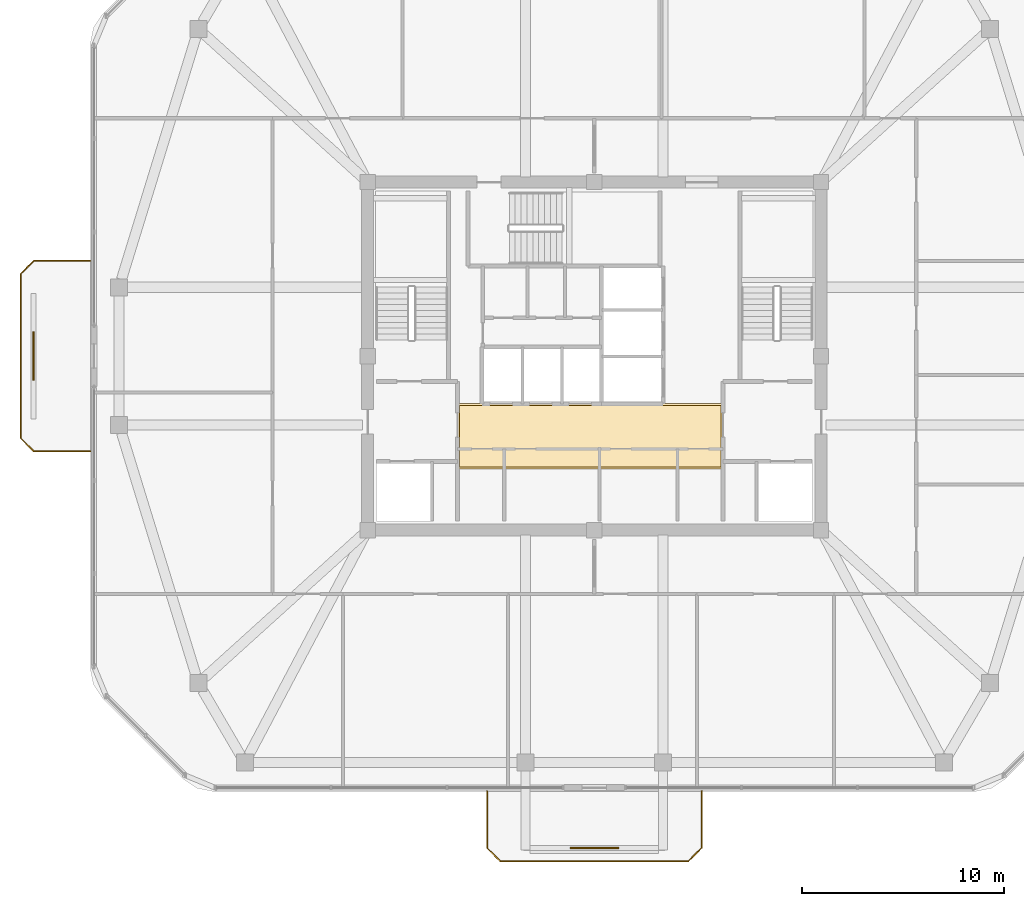
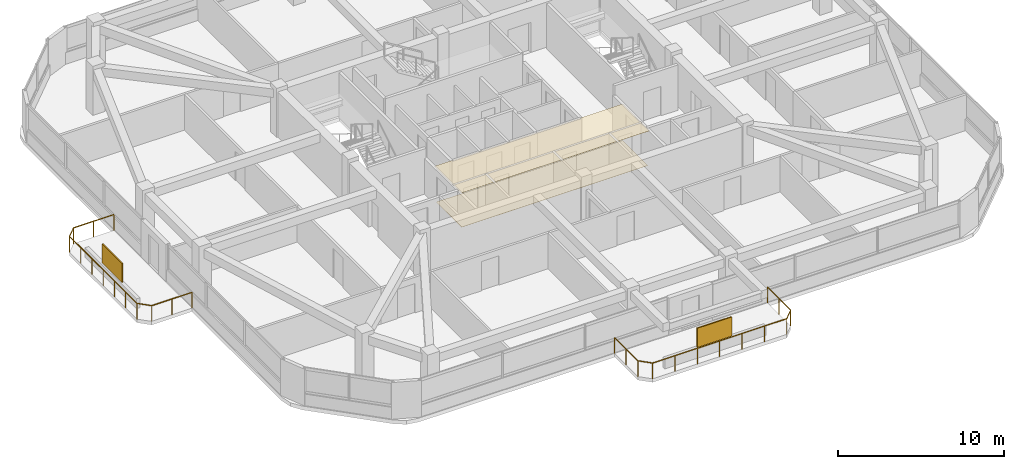
# One storey, part 11 of 12: 2 coverings, 2 railings, 2 shading devices.
"""IFC4 building model written with IfcOpenShell, lengths in metres."""

from ifc_helpers import new_model, si_unit, derived_unit, direction, frame, origin, origin_2d, place, context, subcontext, project, spatial, polyline, rectangle, outline, extrude, material, layer, layer_set, type_object, element, save


model = new_model("IFC4")

# Units and contexts
model_context = context("Model", 3, precision=1e-05, world=origin(), true_north=direction((0.0, 1.0)))
body_context = subcontext(model_context, "Body", "Model", "MODEL_VIEW")
ifc_project = project(units=[si_unit("LENGTHUNIT", "METRE"), si_unit("AREAUNIT", "SQUARE_METRE"), si_unit("VOLUMEUNIT", "CUBIC_METRE"), si_unit("PLANEANGLEUNIT", "RADIAN"), si_unit("MASSUNIT", "GRAM", prefix="KILO"), derived_unit("THERMALTRANSMITTANCEUNIT", [(si_unit("POWERUNIT", "WATT"), 1), (si_unit("LENGTHUNIT", "METRE"), -2), (si_unit("THERMODYNAMICTEMPERATUREUNIT", "KELVIN"), -1)])], contexts=[model_context])

# Site, building, storey
site_placement = place(None, origin())
site = spatial("IfcSite", under=ifc_project, at=site_placement, CompositionType="ELEMENT")
building_placement = place(site_placement, origin())
building = spatial("IfcBuilding", under=site, at=building_placement, Name="Koralith Skygarden Medical Center", CompositionType="ELEMENT")
storey_placement = place(building_placement, frame((0.0, 0.0, 278.820068359375)))
storey = spatial("IfcBuildingStorey", under=building, at=storey_placement, Name="L72", CompositionType="ELEMENT", Elevation=278.820068359375)

# Covering
ifc_material_1 = material(Name="Acoustic Mineral Tile")
ifc_layer_1 = layer(ifc_material_1, 0.02001953125)
ifc_layer_set_1 = layer_set([ifc_layer_1], Name="Acoustic Mineral Tile")
covering_type_1 = type_object("IfcCoveringType", Name="Acoustic Hygienic Mineral Ceiling 20", PredefinedType="CEILING", material=ifc_layer_set_1)
covering_1_placement = place(storey_placement, frame((0.0, 0.0, 2.5849609375)))
element("IfcCovering", 1, at=covering_1_placement, inside=storey, type_object=covering_type_1, Name="L72 Core Lobby Acoustic Ceiling", PredefinedType="CEILING", context=body_context, shape_type="SweptSolid", body=[
    extrude(outline(polyline([(30.25, 20.320068359375), (43.35009765625, 20.320068359375), (43.35009765625, 23.56005859375), (30.25, 23.56005859375), (30.25, 20.320068359375)])), origin(), (0.0, 0.0, 1.0), 0.02001953125),
])

# Railings
ifc_material_2 = material(Name="Steel ASTM A500 Grade C", Category="steel")
railing_type = type_object("IfcRailingType", Name="Outdoor Terrace & Balcony Safety Guardrail 1180", PredefinedType="GUARDRAIL", material=ifc_material_2)
railing_1_placement = place(storey_placement, frame((31.699951171875, 4.39990234375, 0.0)))
element("IfcRailing", 2, at=railing_1_placement, inside=storey, type_object=railing_type, Name="L72 S Balcony Perimeter Guardrail", PredefinedType="GUARDRAIL", context=body_context, shape_type="SweptSolid", body=[
    extrude(rectangle(XDim=0.050048828125, YDim=0.050048828125, at=origin_2d()), frame((0.0, -0.001953125, 1.15478515625), z_axis=(0.0, -1.0, 0.0), x_axis=(1.0, 0.0, 0.0)), (0.0, 0.0, 1.0), 2.7958984375),
    extrude(rectangle(XDim=0.050048828125, YDim=0.050048828125, at=origin_2d()), frame((0.00146484375, -2.80126953125, 1.15478515625), z_axis=(0.707106781187, -0.707106781187, 0.0), x_axis=(0.707106781187, 0.707106781187, 0.0)), (0.0, 0.0, 1.0), 0.91552734375),
    extrude(rectangle(XDim=0.050048828125, YDim=0.050048828125, at=origin_2d()), frame((0.652099609375, -3.449951171875, 1.15478515625), z_axis=(1.0, 0.0, 0.0), x_axis=(0.0, 1.0, 0.0)), (0.0, 0.0, 1.0), 9.2958984375),
    extrude(rectangle(XDim=0.050048828125, YDim=0.050048828125, at=origin_2d()), frame((9.951416015625, -3.448486328125, 1.15478515625), z_axis=(0.707106781187, 0.707106781187, 0.0), x_axis=(-0.707106781187, 0.707106781187, 0.0)), (0.0, 0.0, 1.0), 0.91552734375),
    extrude(rectangle(XDim=0.050048828125, YDim=0.050048828125, at=origin_2d()), frame((10.60009765625, -2.7978515625, 1.15478515625), z_axis=(0.0, 1.0, 0.0), x_axis=(-1.0, 0.0, 0.0)), (0.0, 0.0, 1.0), 2.7958984375),
    extrude(rectangle(XDim=0.0419921875, YDim=0.0419921875, at=origin_2d()), origin(), (0.0, 0.0, 1.0), 1.1279296875),
    extrude(rectangle(XDim=0.0419921875, YDim=0.0419921875, at=origin_2d()), frame((0.0, -1.39990234375, 0.0)), (0.0, 0.0, 1.0), 1.1279296875),
    extrude(rectangle(XDim=0.0419921875, YDim=0.0419921875, at=origin_2d()), frame((0.0, -2.7998046875, 0.0)), (0.0, 0.0, 1.0), 1.1279296875),
    extrude(rectangle(XDim=0.0419921875, YDim=0.0419921875, at=origin_2d()), frame((0.650146484375, -3.449951171875, 0.0)), (0.0, 0.0, 1.0), 1.1279296875),
    extrude(rectangle(XDim=0.0419921875, YDim=0.0419921875, at=origin_2d()), frame((2.2001953125, -3.449951171875, 0.0)), (0.0, 0.0, 1.0), 1.1279296875),
    extrude(rectangle(XDim=0.0419921875, YDim=0.0419921875, at=origin_2d()), frame((3.75, -3.449951171875, 0.0)), (0.0, 0.0, 1.0), 1.1279296875),
    extrude(rectangle(XDim=0.0419921875, YDim=0.0419921875, at=origin_2d()), frame((5.300048828125, -3.449951171875, 0.0)), (0.0, 0.0, 1.0), 1.1279296875),
    extrude(rectangle(XDim=0.0419921875, YDim=0.0419921875, at=origin_2d()), frame((6.85009765625, -3.449951171875, 0.0)), (0.0, 0.0, 1.0), 1.1279296875),
    extrude(rectangle(XDim=0.0419921875, YDim=0.0419921875, at=origin_2d()), frame((8.39990234375, -3.449951171875, 0.0)), (0.0, 0.0, 1.0), 1.1279296875),
    extrude(rectangle(XDim=0.0419921875, YDim=0.0419921875, at=origin_2d()), frame((9.949951171875, -3.449951171875, 0.0)), (0.0, 0.0, 1.0), 1.1279296875),
    extrude(rectangle(XDim=0.0419921875, YDim=0.0419921875, at=origin_2d()), frame((10.60009765625, -2.7998046875, 0.0)), (0.0, 0.0, 1.0), 1.1279296875),
    extrude(rectangle(XDim=0.0419921875, YDim=0.0419921875, at=origin_2d()), frame((10.60009765625, -1.39990234375, 0.0)), (0.0, 0.0, 1.0), 1.1279296875),
    extrude(rectangle(XDim=0.0419921875, YDim=0.0419921875, at=origin_2d()), frame((10.60009765625, 0.0, 0.0)), (0.0, 0.0, 1.0), 1.1279296875),
])
railing_2_placement = place(storey_placement, frame((12.10009765625, 21.199951171875, 0.0)))
element("IfcRailing", 3, at=railing_2_placement, inside=storey, type_object=railing_type, Name="L72 W Balcony Perimeter Guardrail", PredefinedType="GUARDRAIL", context=body_context, shape_type="SweptSolid", body=[
    extrude(rectangle(XDim=0.050048828125, YDim=0.050048828125, at=origin_2d()), frame((-0.001953125, 0.0, 1.15478515625), z_axis=(-1.0, 0.0, 0.0), x_axis=(0.0, -1.0, 0.0)), (0.0, 0.0, 1.0), 2.796142578125),
    extrude(rectangle(XDim=0.050048828125, YDim=0.050048828125, at=origin_2d()), frame((-2.801513671875, 0.00146484375, 1.15478515625), z_axis=(-0.707106781187, 0.707106781187, 0.0), x_axis=(-0.707106781187, -0.707106781187, 0.0)), (0.0, 0.0, 1.0), 0.91552734375),
    extrude(rectangle(XDim=0.050048828125, YDim=0.050048828125, at=origin_2d()), frame((-3.4501953125, 0.652099609375, 1.15478515625), z_axis=(0.0, 1.0, 0.0), x_axis=(-1.0, 0.0, 0.0)), (0.0, 0.0, 1.0), 8.095947265625),
    extrude(rectangle(XDim=0.050048828125, YDim=0.050048828125, at=origin_2d()), frame((-3.44873046875, 8.75146484375, 1.15478515625), z_axis=(0.707106781187, 0.707106781187, 0.0), x_axis=(-0.707106781187, 0.707106781187, 0.0)), (0.0, 0.0, 1.0), 0.91552734375),
    extrude(rectangle(XDim=0.050048828125, YDim=0.050048828125, at=origin_2d()), frame((-2.798095703125, 9.400146484375, 1.15478515625), z_axis=(1.0, 0.0, 0.0), x_axis=(0.0, 1.0, 0.0)), (0.0, 0.0, 1.0), 2.796142578125),
    extrude(rectangle(XDim=0.0419921875, YDim=0.0419921875, at=origin_2d()), origin(), (0.0, 0.0, 1.0), 1.1279296875),
    extrude(rectangle(XDim=0.0419921875, YDim=0.0419921875, at=origin_2d()), frame((-1.39990234375, 0.0, 0.0)), (0.0, 0.0, 1.0), 1.1279296875),
    extrude(rectangle(XDim=0.0419921875, YDim=0.0419921875, at=origin_2d()), frame((-2.800048828125, 0.0, 0.0)), (0.0, 0.0, 1.0), 1.1279296875),
    extrude(rectangle(XDim=0.0419921875, YDim=0.0419921875, at=origin_2d()), frame((-3.4501953125, 0.650146484375, 0.0)), (0.0, 0.0, 1.0), 1.1279296875),
    extrude(rectangle(XDim=0.0419921875, YDim=0.0419921875, at=origin_2d()), frame((-3.4501953125, 2.0, 0.0)), (0.0, 0.0, 1.0), 1.1279296875),
    extrude(rectangle(XDim=0.0419921875, YDim=0.0419921875, at=origin_2d()), frame((-3.4501953125, 3.35009765625, 0.0)), (0.0, 0.0, 1.0), 1.1279296875),
    extrude(rectangle(XDim=0.0419921875, YDim=0.0419921875, at=origin_2d()), frame((-3.4501953125, 4.7001953125, 0.0)), (0.0, 0.0, 1.0), 1.1279296875),
    extrude(rectangle(XDim=0.0419921875, YDim=0.0419921875, at=origin_2d()), frame((-3.4501953125, 6.050048828125, 0.0)), (0.0, 0.0, 1.0), 1.1279296875),
    extrude(rectangle(XDim=0.0419921875, YDim=0.0419921875, at=origin_2d()), frame((-3.4501953125, 7.39990234375, 0.0)), (0.0, 0.0, 1.0), 1.1279296875),
    extrude(rectangle(XDim=0.0419921875, YDim=0.0419921875, at=origin_2d()), frame((-3.4501953125, 8.75, 0.0)), (0.0, 0.0, 1.0), 1.1279296875),
    extrude(rectangle(XDim=0.0419921875, YDim=0.0419921875, at=origin_2d()), frame((-2.800048828125, 9.400146484375, 0.0)), (0.0, 0.0, 1.0), 1.1279296875),
    extrude(rectangle(XDim=0.0419921875, YDim=0.0419921875, at=origin_2d()), frame((-1.39990234375, 9.400146484375, 0.0)), (0.0, 0.0, 1.0), 1.1279296875),
    extrude(rectangle(XDim=0.0419921875, YDim=0.0419921875, at=origin_2d()), frame((0.0, 9.400146484375, 0.0)), (0.0, 0.0, 1.0), 1.1279296875),
])

# Shading devices
ifc_material_3 = material(Name="Aluminium 6063-T6", Category="aluminium")
ifc_layer_2 = layer(ifc_material_3, 0.080078125)
ifc_layer_set_2 = layer_set([ifc_layer_2], Name="Aluminium 6063-T6")
shading_device_type = type_object("IfcShadingDeviceType", Name="Perforated Biophilic Balcony Trellis Screen", PredefinedType="USERDEFINED", material=ifc_layer_set_2)
for number, where, z_axis, x_axis, name in (
    (4, (37.0, 1.60009765625, 0.719970703125), (0.0, 0.0, 1.0), (1.0, 0.0, 0.0), "L72 S Biophilic Balcony Trellis Screen"),
    (5, (9.300048828125, 25.89990234375, 0.719970703125), (0.0, 0.0, 1.0), (0.0, 1.0, 0.0), "L72 W Biophilic Balcony Trellis Screen"),
):
    element("IfcShadingDevice", number, at=place(storey_placement, frame(where, z_axis=z_axis, x_axis=x_axis)), inside=storey, type_object=shading_device_type, Name=name, ObjectType="HURRICANE SCREEN", PredefinedType="USERDEFINED", context=body_context, shape_type="SweptSolid", body=[
        extrude(rectangle(XDim=2.39990234375, YDim=0.080078125, at=origin_2d()), origin(), (0.0, 0.0, 1.0), 1.39990234375),
    ])

# Covering
ifc_material_4 = material(Name="Medical Terrazzo Flooring")
ifc_layer_3 = layer(ifc_material_4, 0.014892578125)
ifc_layer_set_3 = layer_set([ifc_layer_3], Name="Medical Terrazzo Flooring")
covering_type_2 = type_object("IfcCoveringType", Name="Seamless Antimicrobial Terrazzo Flooring 15", PredefinedType="FLOORING", material=ifc_layer_set_3)
covering_2_placement = place(storey_placement, origin())
element("IfcCovering", 6, at=covering_2_placement, inside=storey, type_object=covering_type_2, Name="L72 Core Lobby Terrazzo Flooring", PredefinedType="FLOORING", context=body_context, shape_type="SweptSolid", body=[
    extrude(outline(polyline([(30.35009765625, 20.419921875), (43.25, 20.419921875), (43.25, 23.4599609375), (30.35009765625, 23.4599609375), (30.35009765625, 20.419921875)])), origin(), (0.0, 0.0, 1.0), 0.014892578125),
])

save(model, "model.ifc")
